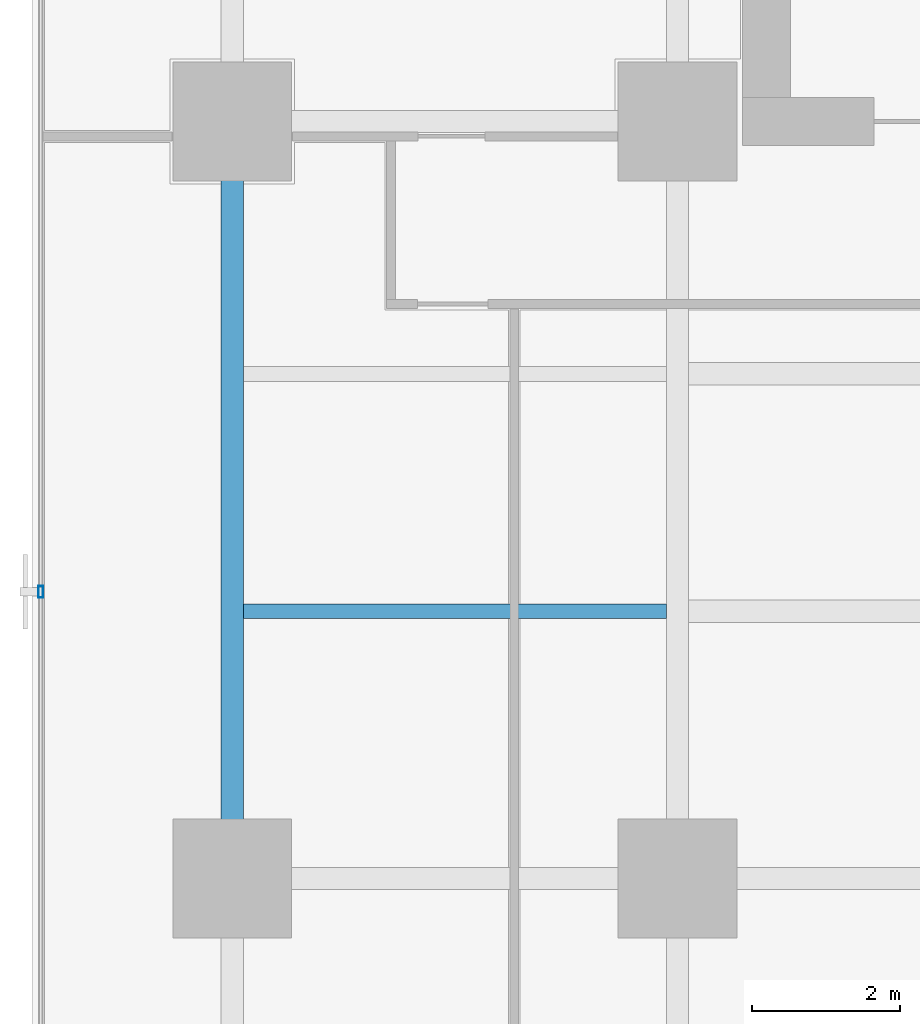
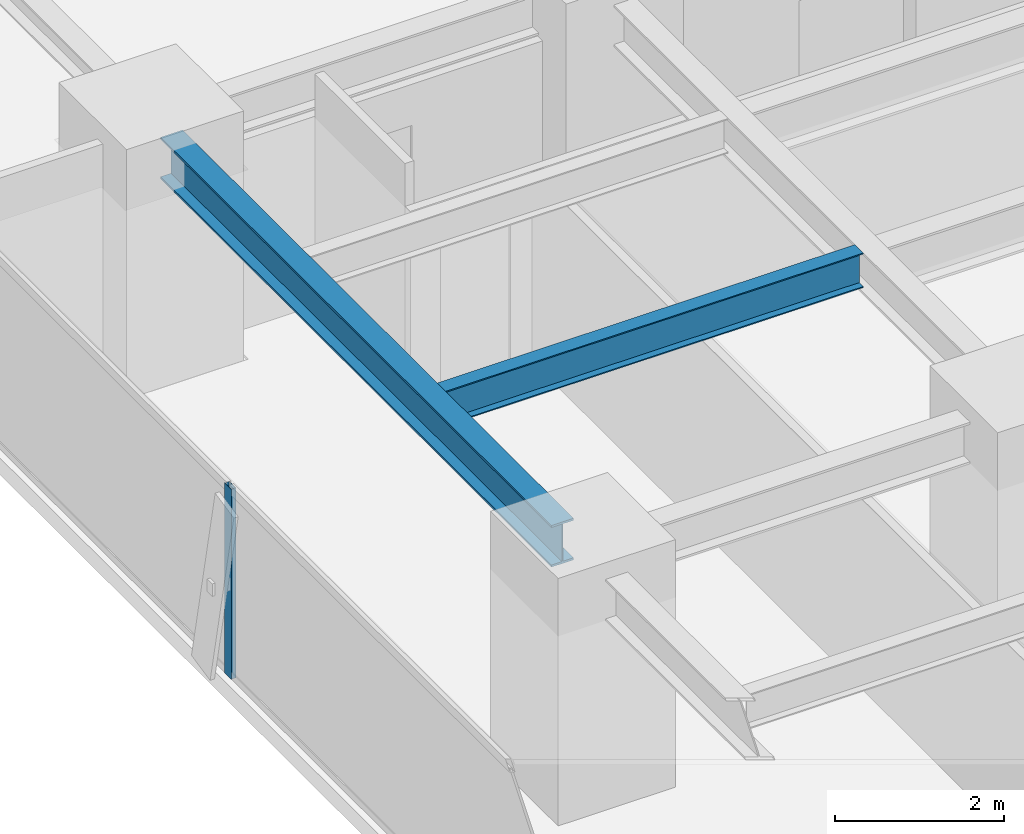
# One storey, part 10 of 37: 2 beams, 1 member, 1 element without a shape of its own.
"""IFC4 building model written with IfcOpenShell, lengths in metres."""

from ifc_helpers import new_model, si_unit, direction, frame, origin, origin_2d, place, context, subcontext, project, spatial, hollow_rectangle, i_section, extrude, source, transform, mapped, material, layer, layer_set, material_profile, profile_set, type_object, element, aggregate, save


model = new_model("IFC4")

# Units and contexts
model_context = context("Model", 3, precision=1e-05, world=origin(), true_north=direction((0.0, 1.0)))
body_context = subcontext(model_context, "Body", "Model", "MODEL_VIEW")
ifc_project = project(units=[si_unit("LENGTHUNIT", "METRE"), si_unit("AREAUNIT", "SQUARE_METRE"), si_unit("VOLUMEUNIT", "CUBIC_METRE"), si_unit("PLANEANGLEUNIT", "RADIAN"), si_unit("MASSUNIT", "GRAM", prefix="KILO")], contexts=[model_context])

# Site, building, storey
site_placement = place(None, origin())
site = spatial("IfcSite", under=ifc_project, at=site_placement, CompositionType="ELEMENT")
building_placement = place(site_placement, origin())
building = spatial("IfcBuilding", under=site, at=building_placement, Name="Sumidabori Civic Tower", CompositionType="ELEMENT")
storey_placement = place(building_placement, frame((0.0, 0.0, 88.39990234375)))
storey = spatial("IfcBuildingStorey", under=building, at=storey_placement, Name="L22", CompositionType="ELEMENT", Elevation=88.39990234375)

# Beams
ifc_material_1 = material(Name="Steel SN490", Category="steel")
ifc_material_profile_1 = material_profile(ifc_material_1, i_section(OverallWidth=0.300048828125, OverallDepth=0.60009765625, WebThickness=0.015380859375, FlangeThickness=0.030029296875, at=origin_2d()), Name="HE 600 B")
ifc_profile_set_1 = profile_set([ifc_material_profile_1], Name="Steel SN490")
beam_type_1 = type_object("IfcBeamType", Name="BM-GIRD-600", PredefinedType="BEAM", material=ifc_profile_set_1)
shared_shape_1 = source(origin(), body_context, "Body", "SweptSolid", [
    extrude(i_section(OverallWidth=0.300048828125, OverallDepth=0.60009765625, WebThickness=0.015380859375, FlangeThickness=0.030029296875, at=origin_2d()), origin(), (0.0, 0.0, 1.0), 9.239990234375),
])
beam_1_placement = place(storey_placement, frame((-22.800048828125, 0.47998046875, 3.06005859375), z_axis=(0.0, 1.0, 0.0), x_axis=(-1.0, 0.0, 0.0)))
element("IfcBeam", 1, at=beam_1_placement, inside=storey, type_object=beam_type_1, Name="Primary Girder L22 GY-23", PredefinedType="BEAM", context=body_context, shape_type="MappedRepresentation", body=[
    mapped(shared_shape_1, transform((0.0, 0.0, 0.0), x_axis=(1.0, 0.0, 0.0), y_axis=(0.0, 1.0, 0.0), z_axis=(0.0, 0.0, 1.0), scale=1.0)),
])
ifc_material_profile_2 = material_profile(ifc_material_1, i_section(OverallWidth=0.199951171875, OverallDepth=0.5, WebThickness=0.01025390625, FlangeThickness=0.01611328125, at=origin_2d()), Name="IPE 500")
ifc_profile_set_2 = profile_set([ifc_material_profile_2], Name="Steel SN490")
beam_type_2 = type_object("IfcBeamType", Name="BM-JST-500", PredefinedType="JOIST", material=ifc_profile_set_2)
shared_shape_2 = source(origin(), body_context, "Body", "SweptSolid", [
    extrude(i_section(OverallWidth=0.199951171875, OverallDepth=0.5, WebThickness=0.01025390625, FlangeThickness=0.01611328125, at=origin_2d()), origin(), (0.0, 0.0, 1.0), 5.699951171875),
])
beam_2_placement = place(storey_placement, frame((-22.64990234375, 3.60009765625, 3.110107421875), z_axis=(1.0, 0.0, 0.0), x_axis=(0.0, 1.0, 0.0)))
element("IfcBeam", 2, at=beam_2_placement, inside=storey, type_object=beam_type_2, Name="Outer Bay Floor Joist L22 JSTO-47", PredefinedType="JOIST", context=body_context, shape_type="MappedRepresentation", body=[
    mapped(shared_shape_2, transform((0.0, 0.0, 0.0), x_axis=(1.0, 0.0, 0.0), y_axis=(0.0, 1.0, 0.0), z_axis=(0.0, 0.0, 1.0), scale=1.0)),
])

# Curtain wall, member
ifc_material_2 = material(Name="Anodised Bronze Aluminium AW-6063-T6", Category="aluminium")
ifc_layer = layer(ifc_material_2, 0.179931640625, Name="Anodised Bronze Aluminium AW-6063-T6")
ifc_layer_set = layer_set([ifc_layer], Name="Anodised Bronze Aluminium AW-6063-T6")
curtain_wall_type = type_object("IfcCurtainWallType", Name="CW-SYS-3", PredefinedType="NOTDEFINED", material=ifc_layer_set)
curtain_wall_placement = place(storey_placement, origin())
curtain_wall = element("IfcCurtainWall", 3, at=curtain_wall_placement, inside=storey, type_object=curtain_wall_type, Name="Curtain Wall CW:L22:R10", PredefinedType="NOTDEFINED")
ifc_material_profile_3 = material_profile(ifc_material_2, hollow_rectangle(XDim=0.06494140625, YDim=0.159912109375, WallThickness=0.0048828125, at=origin_2d()), Name="ALU MULLION 160x65")
ifc_profile_set_3 = profile_set([ifc_material_profile_3], Name="Anodised Bronze Aluminium AW-6063-T6")
member_type = type_object("IfcMemberType", Name="CW-MUL-160", PredefinedType="MULLION", material=ifc_profile_set_3)
shared_shape_3 = source(origin(), body_context, "Body", "SweptSolid", [
    extrude(hollow_rectangle(XDim=0.06494140625, YDim=0.159912109375, WallThickness=0.0048828125, at=origin_2d()), origin(), (0.0, 0.0, 1.0), 2.739990234375),
])
member_placement = place(storey_placement, frame((-25.3798828125, 3.864013671875, 0.0), z_axis=(0.0, 0.0, 1.0), x_axis=(1.0, 0.0, 0.0)))
member = element("IfcMember", 4, at=member_placement, type_object=member_type, Name="CW-3 mullion 3", PredefinedType="MULLION", context=body_context, shape_type="MappedRepresentation", body=[
    mapped(shared_shape_3, transform((0.0, 0.0, 0.0), x_axis=(1.0, 0.0, 0.0), y_axis=(0.0, 1.0, 0.0), z_axis=(0.0, 0.0, 1.0), scale=1.0)),
])
aggregate(curtain_wall, [member])

save(model, "model.ifc")
